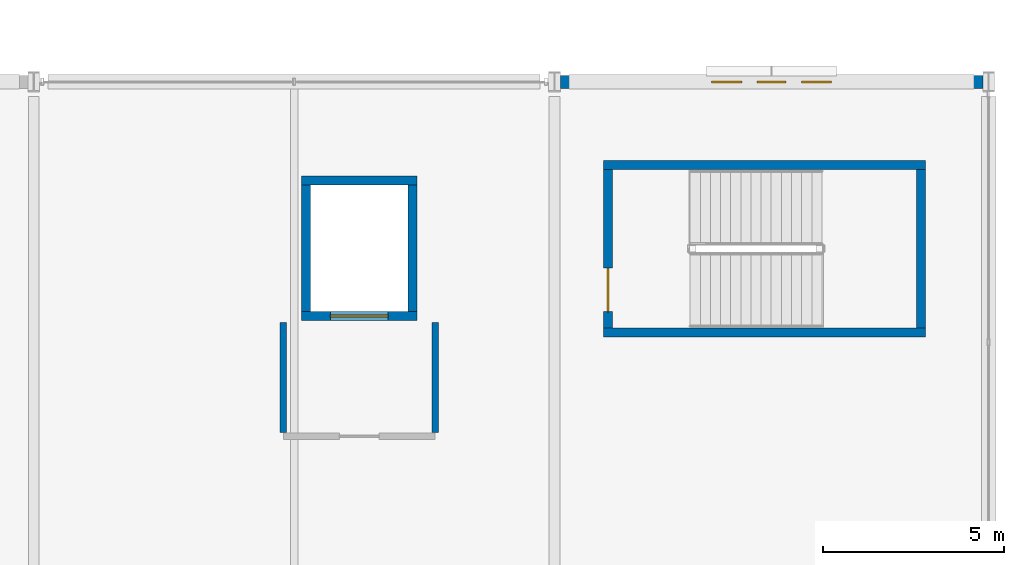
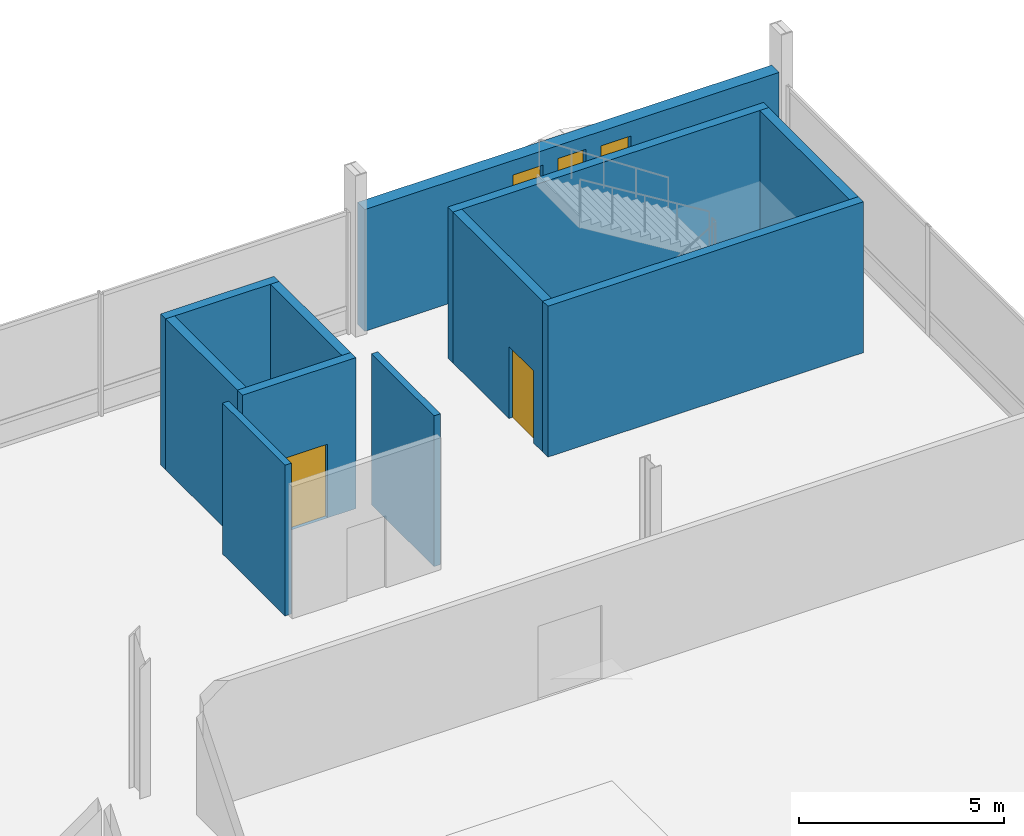
# One storey, part 172 of 220: 11 walls, 3 windows, 2 doors, 5 openings.
"""IFC4 building model written with IfcOpenShell, lengths in metres."""

import ifcopenshell
import ifcopenshell.guid

model = None  # the IFC model being written
_history = None  # IfcOwnerHistory: only IFC2X3 demands one
_inside = {}  # id of a spatial element -> (the spatial element, [elements in it])
_under = {}  # id of a project, library or spatial element -> (it, [spatial elements below it])
_declared = {}  # id of a project -> (the project, [libraries it declares])
_typed = {}  # id of a type object -> (the type object, [elements of that type])
_made_of = {}  # id of a material, layer set ... -> (it, [elements and type objects made of it])


def new_model(schema):
    """Start an empty IFC model of exactly this schema.

    Asked for "IFC4X3", IfcOpenShell would pick the latest addendum, in which some entities
    have other attributes; the version numbers below select the first issue.
    IFC2X3 requires an IfcOwnerHistory on every rooted entity: one is made here for all.
    """
    global model, _history
    if schema == "IFC4X3":
        model = ifcopenshell.file(schema_version=(4, 3, 0, 0))
    else:
        model = ifcopenshell.file(schema=schema)
    _inside.clear()
    _under.clear()
    _declared.clear()
    _typed.clear()
    _made_of.clear()
    _history = None
    if model.schema == "IFC2X3":
        org = make("IfcOrganization", Name="unknown")
        user = make(
            "IfcPersonAndOrganization",
            ThePerson=make("IfcPerson", FamilyName="unknown"),
            TheOrganization=org,
        )
        app = make(
            "IfcApplication",
            ApplicationDeveloper=org,
            Version="unknown",
            ApplicationFullName="unknown",
            ApplicationIdentifier="unknown",
        )
        _history = make(
            "IfcOwnerHistory",
            OwningUser=user,
            OwningApplication=app,
            ChangeAction="ADDED",
            CreationDate=0,
        )
    return model


def make(cls, **values):
    """One entity of the class cls with the attributes given. An attribute that is None is left unset."""
    return model.create_entity(
        cls, **{name: value for name, value in values.items() if value is not None}
    )


def rooted(cls, **values):
    """An entity with a GlobalId (a new one), such as an element, a storey or a relation."""
    return make(cls, GlobalId=ifcopenshell.guid.new(), OwnerHistory=_history, **values)


def si_unit(unit_type, name, prefix=None):
    """IfcSIUnit, for example si_unit("LENGTHUNIT", "METRE", prefix="MILLI")."""
    return make("IfcSIUnit", UnitType=unit_type, Prefix=prefix, Name=name)


def assignment(units):
    """IfcUnitAssignment: the units of a project."""
    return None if units is None else make("IfcUnitAssignment", Units=units)


def point(xyz):
    """IfcCartesianPoint."""
    return None if xyz is None else make("IfcCartesianPoint", Coordinates=xyz)


def direction(xyz):
    """IfcDirection."""
    return None if xyz is None else make("IfcDirection", DirectionRatios=xyz)


def frame(location, z_axis=None, x_axis=None):
    """IfcAxis2Placement3D, a coordinate frame: its origin and axes. An axis left out is left unset."""
    return make(
        "IfcAxis2Placement3D",
        Location=point(location),
        Axis=direction(z_axis),
        RefDirection=direction(x_axis),
    )


def frame_2d(location, x_axis=None):
    """IfcAxis2Placement2D, a coordinate frame in the plane: its origin and x axis."""
    return make(
        "IfcAxis2Placement2D", Location=point(location), RefDirection=direction(x_axis)
    )


def origin():
    """The frame at (0, 0, 0) with its axes left unset."""
    return frame((0.0, 0.0, 0.0))


def place(relative_to, where):
    """IfcLocalPlacement: puts the frame where relative to a parent placement (None: the world)."""
    return make(
        "IfcLocalPlacement", PlacementRelTo=relative_to, RelativePlacement=where
    )


def context(
    kind, dimensions, precision=None, world=None, true_north=None, identifier=None
):
    """IfcGeometricRepresentationContext, for example the 3D "Model" context."""
    return make(
        "IfcGeometricRepresentationContext",
        ContextIdentifier=identifier,
        ContextType=kind,
        CoordinateSpaceDimension=dimensions,
        Precision=precision,
        WorldCoordinateSystem=world,
        TrueNorth=true_north,
    )


def subcontext(parent, identifier, kind, view, scale=None):
    """IfcGeometricRepresentationSubContext, for example "Body" below "Model"."""
    return make(
        "IfcGeometricRepresentationSubContext",
        ContextIdentifier=identifier,
        ContextType=kind,
        ParentContext=parent,
        TargetScale=scale,
        TargetView=view,
    )


def project(units=None, contexts=None):
    """IfcProject with its units and contexts."""
    return rooted(
        "IfcProject",
        Name="project",
        RepresentationContexts=contexts,
        UnitsInContext=assignment(units),
    )


def spatial(cls, under=None, at=None, **own):
    """A site, building, storey or space (cls), placed at a placement, below another one or the project."""
    s = rooted(cls, ObjectPlacement=at, **own)
    if under is not None:
        _under.setdefault(under.id(), (under, []))[1].append(s)
    return s


def profile(cls, at=None, kind="AREA", **sizes):
    """A parametric profile (cls). Its sizes go by their IFC names, for example OverallWidth=200.0."""
    return make(cls, ProfileType=kind, Position=at, **sizes)


def rectangle(**sizes):
    """IfcRectangleProfileDef."""
    return profile("IfcRectangleProfileDef", **sizes)


def extrude(swept, where, along, depth):
    """IfcExtrudedAreaSolid: the profile swept, set in the frame where, extruded along a direction by depth."""
    return make(
        "IfcExtrudedAreaSolid",
        SweptArea=swept,
        Position=where,
        ExtrudedDirection=direction(along),
        Depth=depth,
    )


def shape(context_of_items, identifier, shape_type, items):
    """IfcShapeRepresentation: the items that make up one representation, for example the "Body"."""
    return make(
        "IfcShapeRepresentation",
        ContextOfItems=context_of_items,
        RepresentationIdentifier=identifier,
        RepresentationType=shape_type,
        Items=items,
    )


def material(Name=None, Category=None):
    """IfcMaterial."""
    return make("IfcMaterial", Name=Name, Category=Category)


def layer(
    of_material, thickness, ventilated=None, Name=None, Category=None, Priority=None
):
    """IfcMaterialLayer: one layer of a wall or slab, of a material (None: an air gap)."""
    return make(
        "IfcMaterialLayer",
        Material=of_material,
        LayerThickness=thickness,
        IsVentilated=ventilated,
        Name=Name,
        Category=Category,
        Priority=Priority,
    )


def layer_set(layers, Name=None):
    """IfcMaterialLayerSet."""
    return make("IfcMaterialLayerSet", MaterialLayers=layers, LayerSetName=Name)


def made_of(thing, what):
    """Note that an element or type object is made of a material, layer set ...; save() writes the relation."""
    if what is not None:
        _made_of.setdefault(what.id(), (what, []))[1].append(thing)
    return thing


def type_object(cls, material=None, **own):
    """A type object (cls), such as IfcWallType, which elements share."""
    return made_of(rooted(cls, **own), material)


def element(
    cls,
    number,
    at=None,
    inside=None,
    cuts=None,
    type_object=None,
    material=None,
    context=None,
    identifier="Body",
    shape_type=None,
    held_by="IfcProductDefinitionShape",
    body=None,
    shapes=None,
    **own,
):
    """One element of the class cls, such as IfcWall. Its Tag is "e" and its number.

    at: its placement. inside: the storey or other place that contains it. cuts: it is an
    opening in that element (IfcRelVoidsElement). A single representation is given by context,
    identifier, shape_type and body (its items); several are given by shapes. held_by: the class
    of the entity that holds the representations. save() writes the other relations.
    """
    e = rooted(cls, Tag="e%d" % number, ObjectPlacement=at, **own)
    if body is not None:
        shapes = [shape(context, identifier, shape_type, body)]
    if shapes is not None:
        e.Representation = make(held_by, Representations=shapes)
    if inside is not None:
        _inside.setdefault(inside.id(), (inside, []))[1].append(e)
    if cuts is not None:
        rooted(
            "IfcRelVoidsElement", RelatingBuildingElement=cuts, RelatedOpeningElement=e
        )
    if type_object is not None:
        _typed.setdefault(type_object.id(), (type_object, []))[1].append(e)
    return made_of(e, material)


def fill(opening, filler):
    """IfcRelFillsElement: the door or window that sits in an opening."""
    return rooted(
        "IfcRelFillsElement",
        RelatingOpeningElement=opening,
        RelatedBuildingElement=filler,
    )


def aggregate(whole, parts):
    """IfcRelAggregates: a whole, such as a stair, and the parts it consists of."""
    return rooted("IfcRelAggregates", RelatingObject=whole, RelatedObjects=parts)


def save(model, path):
    """Write the relations noted so far, then the file.

    IfcRelAggregates (storeys below a building ...), IfcRelContainedInSpatialStructure (elements
    in a storey), IfcRelDefinesByType, IfcRelAssociatesMaterial and IfcRelDeclares: one each for
    every whole, place, type object, material and project.
    """
    for whole, parts in _under.values():
        aggregate(whole, parts)
    for where, things in _inside.values():
        rooted(
            "IfcRelContainedInSpatialStructure",
            RelatedElements=things,
            RelatingStructure=where,
        )
    for kind, things in _typed.values():
        rooted("IfcRelDefinesByType", RelatedObjects=things, RelatingType=kind)
    for what, things in _made_of.values():
        rooted("IfcRelAssociatesMaterial", RelatedObjects=things, RelatingMaterial=what)
    for by, libraries in _declared.values():
        rooted("IfcRelDeclares", RelatingContext=by, RelatedDefinitions=libraries)
    model.write(path)


model = new_model("IFC4")

# Units and contexts
model_context = context("Model", 3, precision=1e-05, world=origin(), true_north=direction((0.0, 1.0)))
body_context = subcontext(model_context, "Body", "Model", "MODEL_VIEW")
ifc_project = project(units=[si_unit("LENGTHUNIT", "METRE"), si_unit("AREAUNIT", "SQUARE_METRE"), si_unit("VOLUMEUNIT", "CUBIC_METRE"), si_unit("PLANEANGLEUNIT", "RADIAN"), si_unit("MASSUNIT", "GRAM", prefix="KILO")], contexts=[model_context])

# Site, building, storey
site_placement = place(None, origin())
site = spatial("IfcSite", under=ifc_project, at=site_placement, CompositionType="ELEMENT")
building_placement = place(site_placement, origin())
building = spatial("IfcBuilding", under=site, at=building_placement, Name="Cendralis Lancet Convention Centre", CompositionType="ELEMENT")
storey_placement = place(building_placement, frame((0.0, 0.0, 5.39990234375)))
storey = spatial("IfcBuildingStorey", under=building, at=storey_placement, Name="L01", CompositionType="ELEMENT", Elevation=5.39990234375)

# Wall, openings, windows
ifc_material_1 = material(Name="Buff sandstone ashlar and Concrete G40 (C40/50)", Category="masonry")
ifc_layer_1 = layer(ifc_material_1, 0.360107421875, Name="Buff sandstone ashlar and Concrete G40 (C40/50)")
ifc_layer_set_1 = layer_set([ifc_layer_1], Name="Buff sandstone ashlar and Concrete G40 (C40/50)")
wall_type_1 = type_object("IfcWallType", Name="ARC-EW-W360", PredefinedType="STANDARD", material=ifc_layer_set_1)
wall_1_placement = place(storey_placement, frame((196.9580078125, 136.800048828125, 0.0), z_axis=(0.0, 0.0, 1.0), x_axis=(1.0, 0.0, 0.0)))
wall_1 = element("IfcWall", 1, at=wall_1_placement, inside=storey, type_object=wall_type_1, Name="L01 V3 Exterior Wall EW-04 #0148", PredefinedType="STANDARD", context=body_context, shape_type="SweptSolid", body=[
    extrude(rectangle(XDim=11.68408203125, YDim=0.360107421875, at=frame_2d((5.842041015625, 0.0))), origin(), (0.0, 0.0, 1.0), 3.635009765625),
])
opening_1_placement = place(wall_1_placement, frame((4.181884765625, 0.0, 0.5)))
opening_1 = element("IfcOpeningElement", 2, at=opening_1_placement, cuts=wall_1, Name="Opening WN-15", PredefinedType="OPENING", context=body_context, shape_type="SweptSolid", body=[
    extrude(rectangle(XDim=0.840087890625, YDim=2.699951171875, at=frame_2d((0.419921875, 1.35009765625))), frame((0.0, 0.18994140625, 0.0), z_axis=(0.0, -1.0, 0.0), x_axis=(1.0, 0.0, 0.0)), (0.0, 0.0, 1.0), 0.380126953125),
])
opening_2_placement = place(wall_1_placement, frame((5.44189453125, 0.0, 0.5)))
opening_2 = element("IfcOpeningElement", 3, at=opening_2_placement, cuts=wall_1, Name="Opening WN-07", PredefinedType="OPENING", context=body_context, shape_type="SweptSolid", body=[
    extrude(rectangle(XDim=0.800048828125, YDim=2.75, at=frame_2d((0.39990234375, 1.375))), frame((0.0, 0.18994140625, 0.0), z_axis=(0.0, -1.0, 0.0), x_axis=(1.0, 0.0, 0.0)), (0.0, 0.0, 1.0), 0.380126953125),
])
opening_3_placement = place(wall_1_placement, frame((6.662109375, 0.0, 0.5)))
opening_3 = element("IfcOpeningElement", 4, at=opening_3_placement, cuts=wall_1, Name="Opening WN-15", PredefinedType="OPENING", context=body_context, shape_type="SweptSolid", body=[
    extrude(rectangle(XDim=0.840087890625, YDim=2.699951171875, at=frame_2d((0.419921875, 1.35009765625))), frame((0.0, 0.18994140625, 0.0), z_axis=(0.0, -1.0, 0.0), x_axis=(1.0, 0.0, 0.0)), (0.0, 0.0, 1.0), 0.380126953125),
])
ifc_material_2 = material(Name="Double-glazed low-E solar-control glass", Category="glass")
window_type_1 = type_object("IfcWindowType", Name="ARC-WN-LW07", PartitioningType="SINGLE_PANEL", PredefinedType="WINDOW", material=ifc_material_2)
window_1_placement = place(opening_2_placement, origin())
window_1 = element("IfcWindow", 5, at=window_1_placement, inside=storey, type_object=window_type_1, Name="Gothic Lancet Window WN-07 #0282", OverallHeight=2.75, OverallWidth=0.800048828125, PartitioningType="SINGLE_PANEL", PredefinedType="WINDOW", context=body_context, shape_type="SweptSolid", body=[
    extrude(rectangle(XDim=0.800048828125, YDim=2.75, at=frame_2d((0.39990234375, 1.375))), frame((0.0, 0.030029296875, 0.0), z_axis=(0.0, -1.0, 0.0), x_axis=(1.0, 0.0, 0.0)), (0.0, 0.0, 1.0), 0.06005859375),
])
fill(opening_2, window_1)
window_type_2 = type_object("IfcWindowType", Name="ARC-WN-LW15", PartitioningType="SINGLE_PANEL", PredefinedType="WINDOW", material=ifc_material_2)
window_2_placement = place(opening_1_placement, origin())
window_2 = element("IfcWindow", 6, at=window_2_placement, inside=storey, type_object=window_type_2, Name="Gothic Lancet Window WN-15 #0281", OverallHeight=2.699951171875, OverallWidth=0.840087890625, PartitioningType="SINGLE_PANEL", PredefinedType="WINDOW", context=body_context, shape_type="SweptSolid", body=[
    extrude(rectangle(XDim=0.840087890625, YDim=2.699951171875, at=frame_2d((0.419921875, 1.35009765625))), frame((0.0, 0.030029296875, 0.0), z_axis=(0.0, -1.0, 0.0), x_axis=(1.0, 0.0, 0.0)), (0.0, 0.0, 1.0), 0.06005859375),
])
fill(opening_1, window_2)
window_3_placement = place(opening_3_placement, origin())
window_3 = element("IfcWindow", 7, at=window_3_placement, inside=storey, type_object=window_type_2, Name="Gothic Lancet Window WN-15 #0283", OverallHeight=2.699951171875, OverallWidth=0.840087890625, PartitioningType="SINGLE_PANEL", PredefinedType="WINDOW", context=body_context, shape_type="SweptSolid", body=[
    extrude(rectangle(XDim=0.840087890625, YDim=2.699951171875, at=frame_2d((0.419921875, 1.35009765625))), frame((0.0, 0.030029296875, 0.0), z_axis=(0.0, -1.0, 0.0), x_axis=(1.0, 0.0, 0.0)), (0.0, 0.0, 1.0), 0.06005859375),
])
fill(opening_3, window_3)

# Walls
ifc_material_3 = material(Name="Acoustic fire-rated gypsum board on steel studs", Category="steel")
ifc_layer_2 = layer(ifc_material_3, 0.179931640625, Name="Acoustic fire-rated gypsum board on steel studs")
ifc_layer_set_2 = layer_set([ifc_layer_2], Name="Acoustic fire-rated gypsum board on steel studs")
wall_type_2 = type_object("IfcWallType", Name="ARC-IW-P180", PredefinedType="PARTITIONING", material=ifc_layer_set_2)
for number, where, z_axis, x_axis, name in (
    (8, (189.300048828125, 127.10009765625, 0.0), (0.0, 0.0, 1.0), (0.0, 1.0, 0.0), "L01 Lift Lobby LG-03 West Wall"),
    (9, (193.5, 127.10009765625, 0.0), (0.0, 0.0, 1.0), (0.0, 1.0, 0.0), "L01 Lift Lobby LG-03 East Wall"),
):
    element("IfcWall", number, at=place(storey_placement, frame(where, z_axis=z_axis, x_axis=x_axis)), inside=storey, type_object=wall_type_2, Name=name, PredefinedType="PARTITIONING", context=body_context, shape_type="SweptSolid", body=[
        extrude(rectangle(XDim=3.0498046875, YDim=0.179931640625, at=frame_2d((1.52490234375, 0.0))), origin(), (0.0, 0.0, 1.0), 4.5),
    ])

# Wall, opening, door
ifc_material_4 = material(Name="Concrete G40 (C40/50)", Category="concrete")
ifc_layer_3 = layer(ifc_material_4, 0.25, Name="Concrete G40 (C40/50)")
ifc_layer_set_3 = layer_set([ifc_layer_3], Name="Concrete G40 (C40/50)")
wall_type_3 = type_object("IfcWallType", Name="STR-SW-CW250", PredefinedType="SHEAR", material=ifc_layer_set_3)
wall_2_placement = place(storey_placement, frame((198.27490234375, 130.0, 0.0), z_axis=(0.0, 0.0, 1.0), x_axis=(0.0, 1.0, 0.0)))
wall_2 = element("IfcWall", 10, at=wall_2_placement, inside=storey, type_object=wall_type_3, Name="L01 Stair Core ST-06 West Shear Wall", PredefinedType="SHEAR", context=body_context, shape_type="SweptSolid", body=[
    extrude(rectangle(XDim=4.3798828125, YDim=0.25, at=frame_2d((2.18994140625, 0.0))), origin(), (0.0, 0.0, 1.0), 4.5),
])
opening_4_placement = place(wall_2_placement, frame((0.449951171875, 0.0, 0.0)))
opening_4 = element("IfcOpeningElement", 11, at=opening_4_placement, cuts=wall_2, Name="Opening SD-12", PredefinedType="OPENING", context=body_context, shape_type="SweptSolid", body=[
    extrude(rectangle(XDim=1.199951171875, YDim=2.14990234375, at=frame_2d((0.60009765625, 1.074951171875))), frame((0.0, 0.135009765625, 0.0), z_axis=(0.0, -1.0, 0.0), x_axis=(1.0, 0.0, 0.0)), (0.0, 0.0, 1.0), 0.27001953125),
])
ifc_material_5 = material(Name="Steel S355", Category="steel")
door_type_1 = type_object("IfcDoorType", Name="ARC-DR-ST12", OperationType="NOTDEFINED", PredefinedType="DOOR", material=ifc_material_5)
door_1_placement = place(opening_4_placement, frame((1.199951171875, 0.0, 0.0), z_axis=(0.0, 0.0, 1.0), x_axis=(-1.0, 0.0, 0.0)))
door_1 = element("IfcDoor", 12, at=door_1_placement, inside=storey, type_object=door_type_1, Name="L01-D073 L01 Exit Stair ST-06 Fire Door", OperationType="SINGLE_SWING_LEFT", OverallHeight=2.14990234375, OverallWidth=1.199951171875, PredefinedType="DOOR", context=body_context, shape_type="SweptSolid", body=[
    extrude(rectangle(XDim=1.199951171875, YDim=2.14990234375, at=frame_2d((0.60009765625, 1.074951171875))), frame((0.0, 0.02490234375, 0.0), z_axis=(0.0, -1.0, 0.0), x_axis=(1.0, 0.0, 0.0)), (0.0, 0.0, 1.0), 0.050048828125),
])
fill(opening_4, door_1)

# Walls
wall_3_placement = place(storey_placement, frame((206.925048828125, 130.0, 0.0), z_axis=(0.0, 0.0, 1.0), x_axis=(0.0, 1.0, 0.0)))
element("IfcWall", 13, at=wall_3_placement, inside=storey, type_object=wall_type_3, Name="L01 Stair Core ST-06 East Shear Wall", PredefinedType="SHEAR", context=body_context, shape_type="SweptSolid", body=[
    extrude(rectangle(XDim=4.3798828125, YDim=0.25, at=frame_2d((2.18994140625, 0.0))), origin(), (0.0, 0.0, 1.0), 4.5),
])
for number, where, z_axis, x_axis, name in (
    (14, (198.14990234375, 129.875, 0.0), (0.0, 0.0, 1.0), (1.0, 0.0, 0.0), "L01 Stair Core ST-06 South Shear Wall"),
    (15, (198.14990234375, 134.5048828125, 0.0), (0.0, 0.0, 1.0), (1.0, 0.0, 0.0), "L01 Stair Core ST-06 North Shear Wall"),
):
    element("IfcWall", number, at=place(storey_placement, frame(where, z_axis=z_axis, x_axis=x_axis)), inside=storey, type_object=wall_type_3, Name=name, PredefinedType="SHEAR", context=body_context, shape_type="SweptSolid", body=[
        extrude(rectangle(XDim=8.900146484375, YDim=0.25, at=frame_2d((4.4501953125, 0.0))), origin(), (0.0, 0.0, 1.0), 4.5),
    ])

# Wall, opening, door
wall_4_placement = place(storey_placement, frame((189.800048828125, 130.324951171875, 0.0), z_axis=(0.0, 0.0, 1.0), x_axis=(1.0, 0.0, 0.0)))
wall_4 = element("IfcWall", 16, at=wall_4_placement, inside=storey, type_object=wall_type_3, Name="L01 Lift LG-03 South Shaft Wall", PredefinedType="SHEAR", context=body_context, shape_type="SweptSolid", body=[
    extrude(rectangle(XDim=3.199951171875, YDim=0.25, at=frame_2d((1.60009765625, 0.0))), origin(), (0.0, 0.0, 1.0), 4.5),
])
opening_5_placement = place(wall_4_placement, frame((0.800048828125, 0.0, 0.0)))
opening_5 = element("IfcOpeningElement", 17, at=opening_5_placement, cuts=wall_4, Name="Opening LD-16", PredefinedType="OPENING", context=body_context, shape_type="SweptSolid", body=[
    extrude(rectangle(XDim=1.60009765625, YDim=2.199951171875, at=frame_2d((0.800048828125, 1.10009765625))), frame((0.0, 0.135009765625, 0.0), z_axis=(0.0, -1.0, 0.0), x_axis=(1.0, 0.0, 0.0)), (0.0, 0.0, 1.0), 0.27001953125),
])
door_type_2 = type_object("IfcDoorType", Name="ARC-DR-LD16", OperationType="NOTDEFINED", PredefinedType="DOOR", material=ifc_material_5)
door_2_placement = place(opening_5_placement, origin())
door_2 = element("IfcDoor", 18, at=door_2_placement, inside=storey, type_object=door_type_2, Name="L01-D044 L01 Lift LG-03 Sliding Landing Door", OperationType="SLIDING_TO_LEFT", OverallHeight=2.199951171875, OverallWidth=1.60009765625, PredefinedType="DOOR", context=body_context, shape_type="SweptSolid", body=[
    extrude(rectangle(XDim=1.60009765625, YDim=2.199951171875, at=frame_2d((0.800048828125, 1.10009765625))), frame((0.0, 0.02490234375, 0.0), z_axis=(0.0, -1.0, 0.0), x_axis=(1.0, 0.0, 0.0)), (0.0, 0.0, 1.0), 0.050048828125),
])
fill(opening_5, door_2)

# Walls
wall_5_placement = place(storey_placement, frame((189.800048828125, 134.074951171875, 0.0), z_axis=(0.0, 0.0, 1.0), x_axis=(1.0, 0.0, 0.0)))
element("IfcWall", 19, at=wall_5_placement, inside=storey, type_object=wall_type_3, Name="L01 Lift LG-03 North Shaft Wall", PredefinedType="SHEAR", context=body_context, shape_type="SweptSolid", body=[
    extrude(rectangle(XDim=3.199951171875, YDim=0.25, at=frame_2d((1.60009765625, 0.0))), origin(), (0.0, 0.0, 1.0), 4.5),
])
for number, where, z_axis, x_axis, name in (
    (20, (189.925048828125, 130.449951171875, 0.0), (0.0, 0.0, 1.0), (0.0, 1.0, 0.0), "L01 Lift LG-03 West Shaft Wall"),
    (21, (192.875, 130.449951171875, 0.0), (0.0, 0.0, 1.0), (0.0, 1.0, 0.0), "L01 Lift LG-03 East Shaft Wall"),
):
    element("IfcWall", number, at=place(storey_placement, frame(where, z_axis=z_axis, x_axis=x_axis)), inside=storey, type_object=wall_type_3, Name=name, PredefinedType="SHEAR", context=body_context, shape_type="SweptSolid", body=[
        extrude(rectangle(XDim=3.5, YDim=0.25, at=frame_2d((1.75, 0.0))), origin(), (0.0, 0.0, 1.0), 4.5),
    ])

save(model, "model.ifc")
